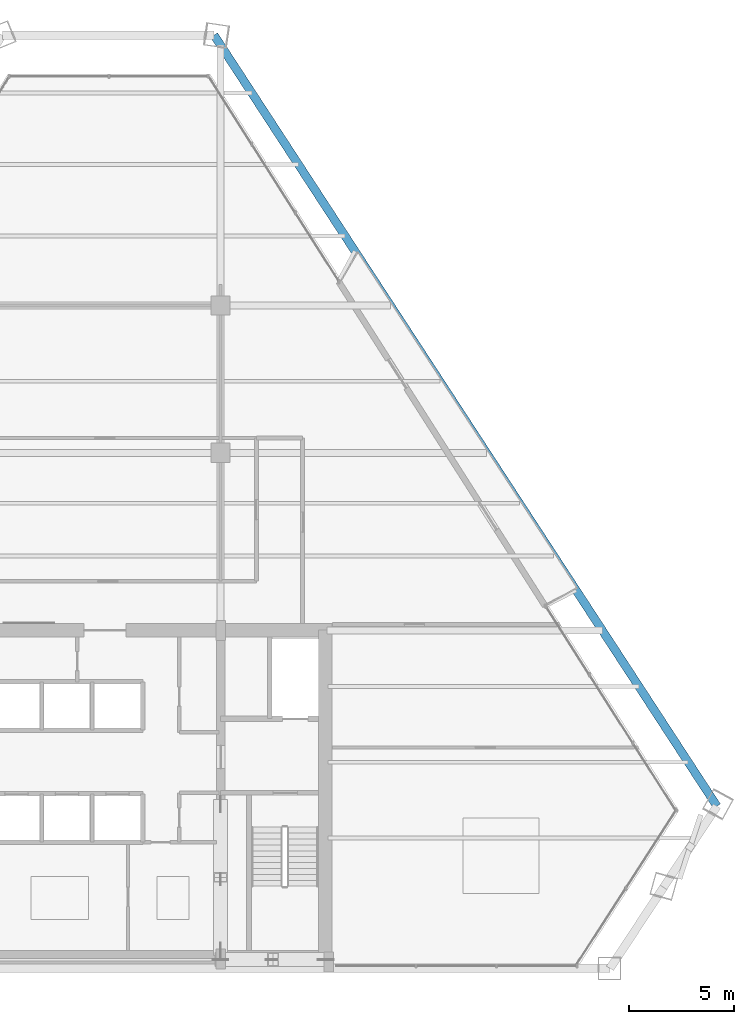
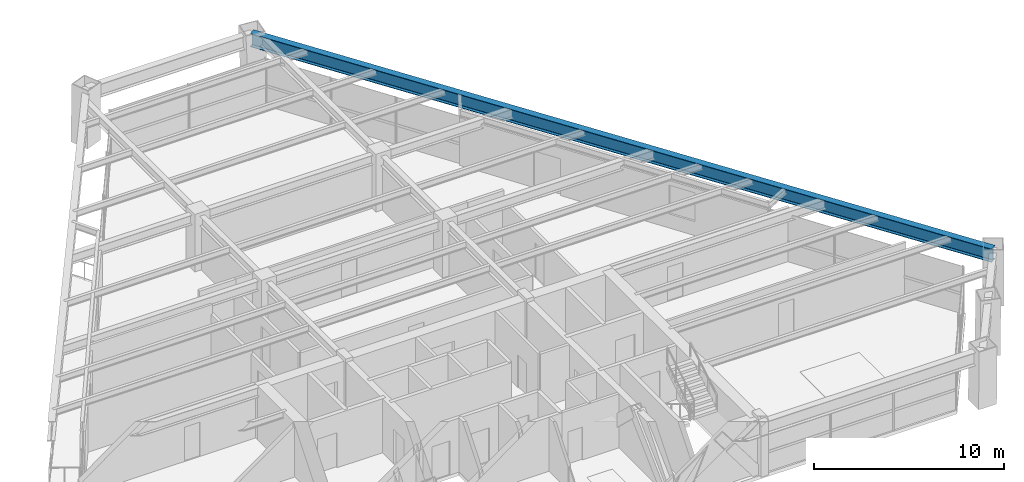
# One storey, part 7 of 15: 1 beam.
"""IFC4 building model written with IfcOpenShell, lengths in metres."""

from ifc_helpers import new_model, si_unit, direction, frame, origin, origin_2d, place, context, subcontext, project, spatial, i_section, extrude, source, transform, mapped, material, material_profile, profile_set, type_object, element, save


model = new_model("IFC4")

# Units and contexts
model_context = context("Model", 3, precision=1e-05, world=origin(), true_north=direction((0.0, 1.0)))
body_context = subcontext(model_context, "Body", "Model", "MODEL_VIEW")
ifc_project = project(units=[si_unit("LENGTHUNIT", "METRE"), si_unit("AREAUNIT", "SQUARE_METRE"), si_unit("VOLUMEUNIT", "CUBIC_METRE"), si_unit("PLANEANGLEUNIT", "RADIAN"), si_unit("MASSUNIT", "GRAM", prefix="KILO")], contexts=[model_context])

# Site, building, storey
site_placement = place(None, origin())
site = spatial("IfcSite", under=ifc_project, at=site_placement, CompositionType="ELEMENT")
building_placement = place(site_placement, origin())
building = spatial("IfcBuilding", under=site, at=building_placement, Name="Varnakhor Terracotta Tower", CompositionType="ELEMENT")
storey_placement = place(building_placement, frame((0.0, 0.0, 147.800048828125)))
storey = spatial("IfcBuildingStorey", under=building, at=storey_placement, Name="L37", CompositionType="ELEMENT", Elevation=147.800048828125)

# Beam
ifc_material = material(Name="Steel S355", Category="steel")
ifc_material_profile = material_profile(ifc_material, i_section(OverallWidth=0.39990234375, OverallDepth=0.85498046875, WebThickness=0.01806640625, FlangeThickness=0.029052734375, FilletRadius=0.01806640625, at=origin_2d()), Name="W33X201")
ifc_profile_set = profile_set([ifc_material_profile], Name="Steel S355")
beam_type = type_object("IfcBeamType", Name="BM-W33X201", PredefinedType="BEAM", material=ifc_profile_set)
shared_shape = source(origin(), body_context, "Body", "SweptSolid", [
    extrude(i_section(OverallWidth=0.39990234375, OverallDepth=0.85498046875, WebThickness=0.01806640625, FlangeThickness=0.029052734375, FilletRadius=0.01806640625, at=origin_2d()), origin(), (0.0, 0.0, 1.0), 43.748291015625),
])
beam_placement = place(storey_placement, frame((29.087890625, 7.70751953125, 3.04248046875), z_axis=(-0.546272717213, 0.837607377253, 0.0), x_axis=(-0.837607377253, -0.546272717213, 0.0)))
element("IfcBeam", 1, at=beam_placement, inside=storey, type_object=beam_type, Name="L37 Perimeter Spandrel 4", PredefinedType="BEAM", context=body_context, shape_type="MappedRepresentation", body=[
    mapped(shared_shape, transform((0.0, 0.0, 0.0), scale=1.0)),
])

save(model, "model.ifc")
